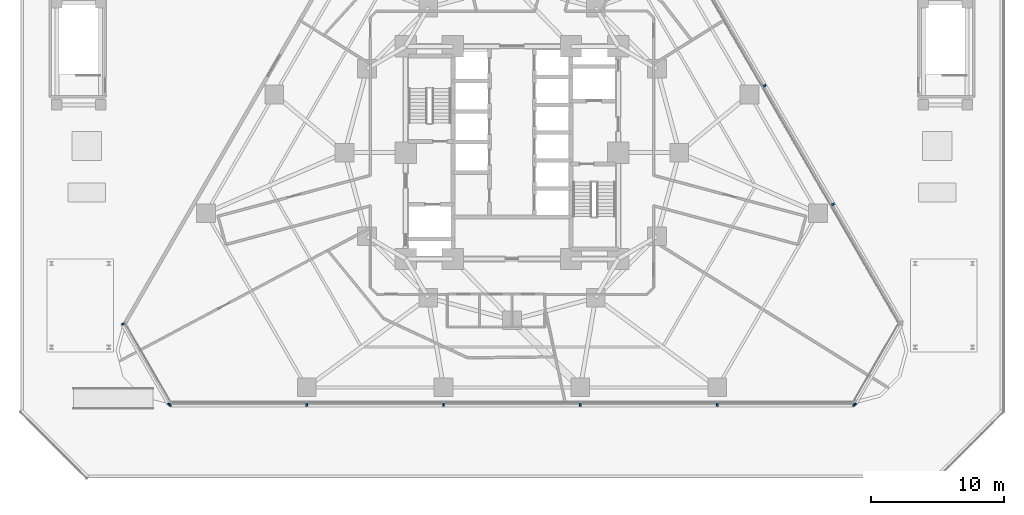
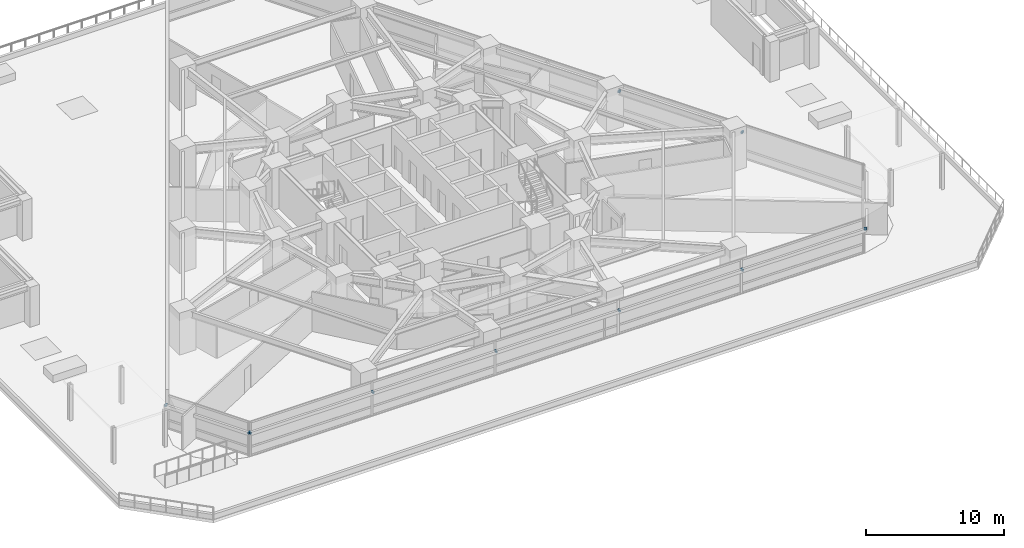
# One storey, part 20 of 23: 11 discrete accessories.
"""IFC4 building model written with IfcOpenShell, lengths in metres."""

from ifc_helpers import new_model, si_unit, direction, frame, origin, origin_2d, place, context, subcontext, project, spatial, rectangle, extrude, material, type_object, element, save


model = new_model("IFC4")

# Units and contexts
model_context = context("Model", 3, precision=1e-05, world=origin(), true_north=direction((0.0, 1.0)))
body_context = subcontext(model_context, "Body", "Model", "MODEL_VIEW")
ifc_project = project(units=[si_unit("LENGTHUNIT", "METRE"), si_unit("AREAUNIT", "SQUARE_METRE"), si_unit("VOLUMEUNIT", "CUBIC_METRE"), si_unit("PLANEANGLEUNIT", "RADIAN"), si_unit("MASSUNIT", "GRAM", prefix="KILO")], contexts=[model_context])

# Site, building, storey
site_placement = place(None, origin())
site = spatial("IfcSite", under=ifc_project, at=site_placement, CompositionType="ELEMENT")
building_placement = place(site_placement, origin())
building = spatial("IfcBuilding", under=site, at=building_placement, Name="Terralouvre Media Tower", CompositionType="ELEMENT")
storey_placement = place(building_placement, frame((0.0, 0.0, 26.0)))
storey = spatial("IfcBuildingStorey", under=building, at=storey_placement, Name="L05", CompositionType="ELEMENT", Elevation=26.0)

# Discrete accessories
ifc_material = material(Name="Anodised extruded aluminium 6063-T6", Category="aluminium")
discrete_accessory_type = type_object("IfcDiscreteAccessoryType", Name="Mullion Stand-Off Baguette Fixing Bracket BK-01", PredefinedType="BRACKET", material=ifc_material)
for number, where, z_axis, x_axis, name in (
    (1, (-25.71240234375, -18.956787109375, 2.07421875), (0.0, 0.0, 1.0), (1.0, 0.0, 0.0), "CW-L05-F0 Baguette Outrigger Bracket 1.01"),
    (2, (-15.449951171875, -18.956787109375, 2.07421875), (0.0, 0.0, 1.0), (1.0, 0.0, 0.0), "CW-L05-F0 Baguette Outrigger Bracket 1.02"),
    (3, (-5.14990234375, -18.956787109375, 2.07421875), (0.0, 0.0, 1.0), (1.0, 0.0, 0.0), "CW-L05-F0 Baguette Outrigger Bracket 1.03"),
    (4, (5.14990234375, -18.956787109375, 2.07421875), (0.0, 0.0, 1.0), (1.0, 0.0, 0.0), "CW-L05-F0 Baguette Outrigger Bracket 1.04"),
    (5, (15.449951171875, -18.956787109375, 2.07421875), (0.0, 0.0, 1.0), (1.0, 0.0, 0.0), "CW-L05-F0 Baguette Outrigger Bracket 1.05"),
    (6, (25.71240234375, -18.956787109375, 2.07421875), (0.0, 0.0, 1.0), (1.0, 0.0, 0.0), "CW-L05-F0 Baguette Outrigger Bracket 1.06"),
    (7, (24.14208984375, -3.901611328125, 2.07421875), (0.0, 0.0, 1.0), (-0.499999985671, 0.866025412057, 0.0), "CW-L05-F1 Baguette Outrigger Bracket 1.02"),
    (8, (18.991943359375, 5.018310546875, 2.07421875), (0.0, 0.0, 1.0), (-0.499999985671, 0.866025412057, 0.0), "CW-L05-F1 Baguette Outrigger Bracket 1.03"),
    (9, (-29.255859375, -12.88427734375, 2.07421875), (0.0, 0.0, 1.0), (0.499999691503, -0.866025581895, 0.0), "CW-L05-C0 Baguette Outrigger Bracket 1.01"),
    (10, (-25.7861328125, -18.894287109375, 2.07421875), (0.0, 0.0, 1.0), (0.499999691503, -0.866025581895, 0.0), "CW-L05-C0 Baguette Outrigger Bracket 1.02"),
    (11, (25.7861328125, -18.894287109375, 2.07421875), (0.0, 0.0, 1.0), (0.499999691503, 0.866025581895, 0.0), "CW-L05-C1 Baguette Outrigger Bracket 1.01"),
):
    element("IfcDiscreteAccessory", number, at=place(storey_placement, frame(where, z_axis=z_axis, x_axis=x_axis)), inside=storey, type_object=discrete_accessory_type, Name=name, PredefinedType="BRACKET", context=body_context, shape_type="SweptSolid", body=[
        extrude(rectangle(XDim=0.139892578125, YDim=0.239990234375, at=origin_2d()), origin(), (0.0, 0.0, 1.0), 0.179931640625),
    ])

save(model, "model.ifc")
